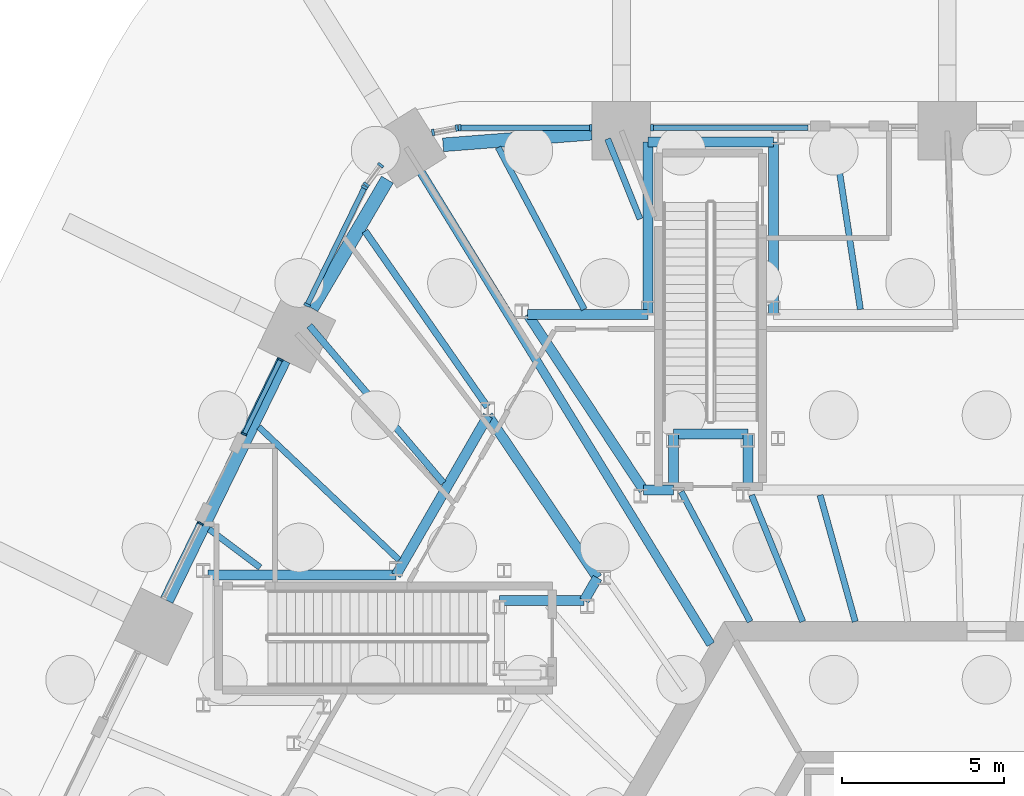
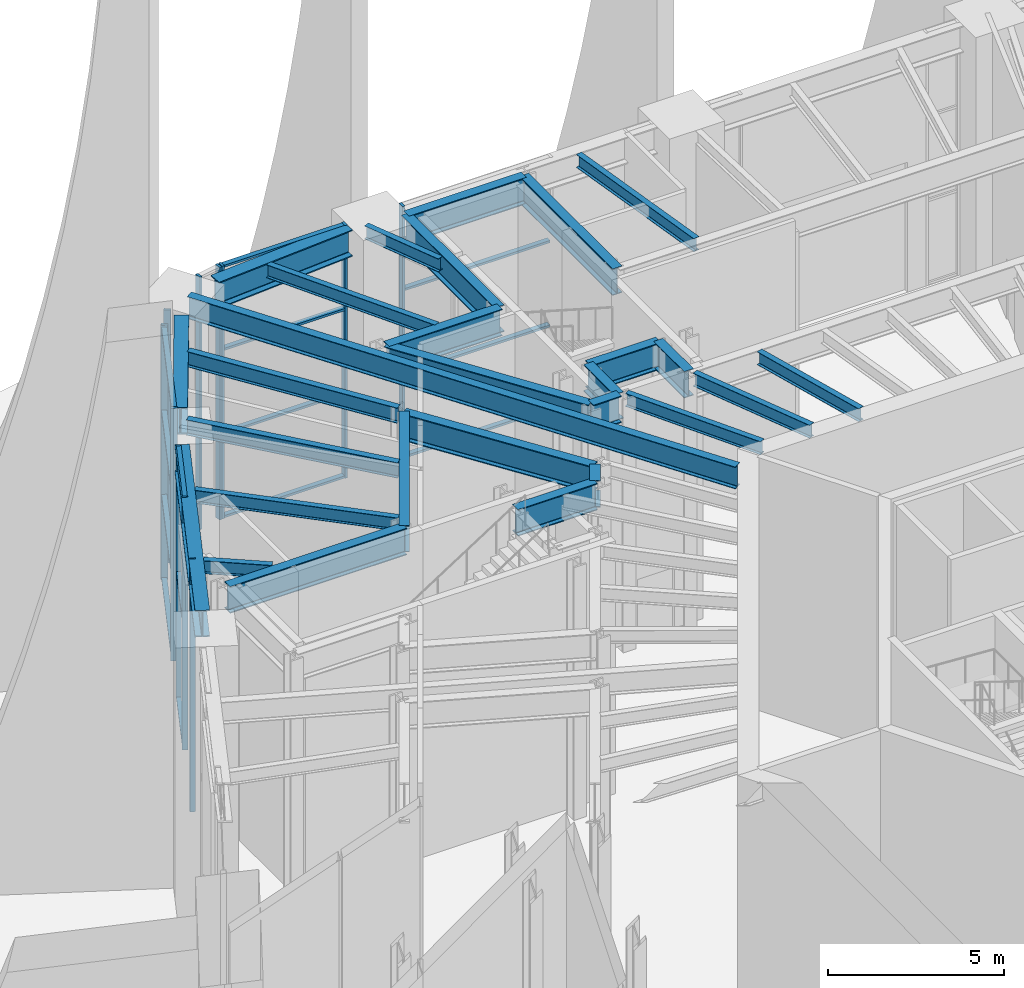
# One storey, part 10 of 43: 28 beams, 26 members, 7 elements without a shape of their own.
"""IFC4 building model written with IfcOpenShell, lengths in metres."""

from ifc_helpers import new_model, si_unit, direction, frame, origin, origin_2d, place, context, subcontext, project, spatial, rectangle, i_section, extrude, material, material_profile, profile_set, type_object, element, aggregate, save


model = new_model("IFC4")

# Units and contexts
model_context = context("Model", 3, precision=1e-05, world=origin(), true_north=direction((0.0, 1.0)))
body_context = subcontext(model_context, "Body", "Model", "MODEL_VIEW")
ifc_project = project(units=[si_unit("LENGTHUNIT", "METRE"), si_unit("AREAUNIT", "SQUARE_METRE"), si_unit("VOLUMEUNIT", "CUBIC_METRE"), si_unit("PLANEANGLEUNIT", "RADIAN"), si_unit("MASSUNIT", "GRAM", prefix="KILO")], contexts=[model_context])

# Site, building, storey
site_placement = place(None, origin())
site = spatial("IfcSite", under=ifc_project, at=site_placement, CompositionType="ELEMENT")
building_placement = place(site_placement, origin())
building = spatial("IfcBuilding", under=site, at=building_placement, Name="Tarnside Tower", CompositionType="ELEMENT")
storey_placement = place(building_placement, origin())
storey = spatial("IfcBuildingStorey", under=building, at=storey_placement, Name="L00", CompositionType="ELEMENT", Elevation=0.0)

# Beams
ifc_material_1 = material(Name="Steel S355", Category="steel")
ifc_material_profile_1 = material_profile(ifc_material_1, i_section(OverallWidth=0.18994140625, OverallDepth=0.453369140625, WebThickness=0.008544921875, FlangeThickness=0.0126953125, FilletRadius=0.01025390625, at=origin_2d()), Name="UB 457x191x67")
ifc_profile_set_1 = profile_set([ifc_material_profile_1], Name="Steel S355")
beam_type_1 = type_object("IfcBeamType", Name="Floor beam UB 457x191x67", PredefinedType="BEAM", material=ifc_profile_set_1)
beam_1_placement = place(storey_placement, frame((-4.684326171875, 28.889892578125, 8.523193359375), z_axis=(0.150020607417, -0.988682869959, 0.0), x_axis=(0.988682869959, 0.150020607417, 0.0)))
element("IfcBeam", 1, at=beam_1_placement, inside=storey, type_object=beam_type_1, Name="Floor beam F1.06a", PredefinedType="BEAM", context=body_context, shape_type="SweptSolid", body=[
    extrude(i_section(OverallWidth=0.18994140625, OverallDepth=0.453369140625, WebThickness=0.008544921875, FlangeThickness=0.0126953125, FilletRadius=0.01025390625, at=origin_2d()), origin(), (0.0, 0.0, 1.0), 5.3427734375),
])
beam_2_placement = place(storey_placement, frame((-5.123046875, 17.892333984375, 8.523193359375), z_axis=(0.267721786164, -0.963496261131, 0.0), x_axis=(0.963496261131, 0.267721786164, 0.0)))
element("IfcBeam", 2, at=beam_2_placement, inside=storey, type_object=beam_type_1, Name="Floor beam F1.07", PredefinedType="BEAM", context=body_context, shape_type="SweptSolid", body=[
    extrude(i_section(OverallWidth=0.18994140625, OverallDepth=0.453369140625, WebThickness=0.008544921875, FlangeThickness=0.0126953125, FilletRadius=0.01025390625, at=origin_2d()), origin(), (0.0, 0.0, 1.0), 4.039794921875),
])
beam_3_placement = place(storey_placement, frame((-11.659912109375, 28.85595703125, 8.523193359375), z_axis=(0.374581275825, -0.927194083136, 0.0), x_axis=(0.927194083136, 0.374581275825, 0.0)))
element("IfcBeam", 3, at=beam_3_placement, inside=storey, type_object=beam_type_1, Name="Floor beam F1.08a", PredefinedType="BEAM", context=body_context, shape_type="SweptSolid", body=[
    extrude(i_section(OverallWidth=0.18994140625, OverallDepth=0.453369140625, WebThickness=0.008544921875, FlangeThickness=0.0126953125, FilletRadius=0.01025390625, at=origin_2d()), origin(), (0.0, 0.0, 1.0), 2.6630859375),
])
beam_4_placement = place(storey_placement, frame((-7.230712890625, 17.892333984375, 8.523193359375), z_axis=(0.374637083902, -0.927171535028, 0.0), x_axis=(0.927171535028, 0.374637083902, 0.0)))
element("IfcBeam", 4, at=beam_4_placement, inside=storey, type_object=beam_type_1, Name="Floor beam F1.08b", PredefinedType="BEAM", context=body_context, shape_type="SweptSolid", body=[
    extrude(i_section(OverallWidth=0.18994140625, OverallDepth=0.453369140625, WebThickness=0.008544921875, FlangeThickness=0.0126953125, FilletRadius=0.01025390625, at=origin_2d()), origin(), (0.0, 0.0, 1.0), 4.197998046875),
])
beam_5_placement = place(storey_placement, frame((-15.027587890625, 28.593505859375, 8.523193359375), z_axis=(0.46914890245, -0.883119078794, 0.0), x_axis=(0.883119078794, 0.46914890245, 0.0)))
element("IfcBeam", 5, at=beam_5_placement, inside=storey, type_object=beam_type_1, Name="Floor beam F1.09a", PredefinedType="BEAM", context=body_context, shape_type="SweptSolid", body=[
    extrude(i_section(OverallWidth=0.18994140625, OverallDepth=0.453369140625, WebThickness=0.008544921875, FlangeThickness=0.0126953125, FilletRadius=0.01025390625, at=origin_2d()), origin(), (0.0, 0.0, 1.0), 5.645751953125),
])
beam_6_placement = place(storey_placement, frame((-9.397705078125, 17.99609375, 8.523193359375), z_axis=(0.469176264666, -0.883104542324, 0.0), x_axis=(0.883104542324, 0.469176264666, 0.0)))
element("IfcBeam", 6, at=beam_6_placement, inside=storey, type_object=beam_type_1, Name="Floor beam F1.09b", PredefinedType="BEAM", context=body_context, shape_type="SweptSolid", body=[
    extrude(i_section(OverallWidth=0.18994140625, OverallDepth=0.453369140625, WebThickness=0.008544921875, FlangeThickness=0.0126953125, FilletRadius=0.01025390625, at=origin_2d()), origin(), (0.0, 0.0, 1.0), 4.525146484375),
])
beam_7_placement = place(storey_placement, frame((-22.39404296875, 19.98779296875, 8.523193359375), z_axis=(0.725649310235, -0.688064734277, 0.0), x_axis=(0.688064734277, 0.725649310235, 0.0)))
element("IfcBeam", 7, at=beam_7_placement, inside=storey, type_object=beam_type_1, Name="Floor beam F2.03a", PredefinedType="BEAM", context=body_context, shape_type="SweptSolid", body=[
    extrude(i_section(OverallWidth=0.18994140625, OverallDepth=0.453369140625, WebThickness=0.008544921875, FlangeThickness=0.0126953125, FilletRadius=0.01025390625, at=origin_2d()), origin(), (0.0, 0.0, 1.0), 5.943603515625),
])
beam_8_placement = place(storey_placement, frame((-23.927001953125, 16.844970703125, 8.523193359375), z_axis=(0.80026824962, -0.599642167171, 0.0), x_axis=(0.599642167171, 0.80026824962, 0.0)))
element("IfcBeam", 8, at=beam_8_placement, inside=storey, type_object=beam_type_1, Name="Floor beam F2.04a", PredefinedType="BEAM", context=body_context, shape_type="SweptSolid", body=[
    extrude(i_section(OverallWidth=0.18994140625, OverallDepth=0.453369140625, WebThickness=0.008544921875, FlangeThickness=0.0126953125, FilletRadius=0.01025390625, at=origin_2d()), origin(), (0.0, 0.0, 1.0), 1.96533203125),
])
ifc_material_profile_2 = material_profile(ifc_material_1, i_section(OverallWidth=0.209228515625, OverallDepth=0.533203125, WebThickness=0.010009765625, FlangeThickness=0.015625, FilletRadius=0.0126953125, at=origin_2d()), Name="UB 533x210x92")
ifc_profile_set_2 = profile_set([ifc_material_profile_2], Name="Steel S355")
beam_type_2 = type_object("IfcBeamType", Name="Floor beam UB 533x210x92", PredefinedType="BEAM", material=ifc_profile_set_2)
beam_9_placement = place(storey_placement, frame((-19.12646484375, 26.0166015625, 8.4833984375), z_axis=(0.571498654839, -0.820603002381, 0.0), x_axis=(0.820603002381, 0.571498654839, 0.0)))
element("IfcBeam", 9, at=beam_9_placement, inside=storey, type_object=beam_type_2, Name="Floor beam F2.01a", PredefinedType="BEAM", context=body_context, shape_type="SweptSolid", body=[
    extrude(i_section(OverallWidth=0.209228515625, OverallDepth=0.533203125, WebThickness=0.010009765625, FlangeThickness=0.015625, FilletRadius=0.0126953125, at=origin_2d()), origin(), (0.0, 0.0, 1.0), 6.589111328125),
])
beam_10_placement = place(storey_placement, frame((-20.838134765625, 23.10595703125, 8.4833984375), z_axis=(0.648334612888, -0.761355521246, 0.0), x_axis=(0.761355521246, 0.648334612888, 0.0)))
element("IfcBeam", 10, at=beam_10_placement, inside=storey, type_object=beam_type_2, Name="Floor beam F2.02a", PredefinedType="BEAM", context=body_context, shape_type="SweptSolid", body=[
    extrude(i_section(OverallWidth=0.209228515625, OverallDepth=0.533203125, WebThickness=0.010009765625, FlangeThickness=0.015625, FilletRadius=0.0126953125, at=origin_2d()), origin(), (0.0, 0.0, 1.0), 6.359375),
])
ifc_material_profile_3 = material_profile(ifc_material_1, i_section(OverallWidth=0.2666015625, OverallDepth=0.76220703125, WebThickness=0.014404296875, FlangeThickness=0.021484375, FilletRadius=0.0166015625, at=origin_2d()), Name="UB 762x267x173")
ifc_profile_set_3 = profile_set([ifc_material_profile_3], Name="Steel S355")
beam_type_3 = type_object("IfcBeamType", Name="Floor beam UB 762x267x173", PredefinedType="BEAM", material=ifc_profile_set_3)
beam_11_placement = place(storey_placement, frame((-17.7392578125, 28.375732421875, 8.368896484375), z_axis=(0.523065896899, -0.852292243014, 0.0), x_axis=(0.852292243014, 0.523065896899, 0.0)))
element("IfcBeam", 11, at=beam_11_placement, inside=storey, type_object=beam_type_3, Name="Floor beam C1", PredefinedType="BEAM", context=body_context, shape_type="SweptSolid", body=[
    extrude(i_section(OverallWidth=0.2666015625, OverallDepth=0.76220703125, WebThickness=0.014404296875, FlangeThickness=0.021484375, FilletRadius=0.0166015625, at=origin_2d()), origin(), (0.0, 0.0, 1.0), 17.6884765625),
])
ifc_material_profile_4 = material_profile(ifc_material_1, i_section(OverallWidth=0.3076171875, OverallDepth=0.926513671875, WebThickness=0.01953125, FlangeThickness=0.031982421875, FilletRadius=0.01904296875, at=origin_2d()), Name="UB 914x305x289")
ifc_profile_set_4 = profile_set([ifc_material_profile_4], Name="Steel S355")
beam_type_4 = type_object("IfcBeamType", Name="Perimeter girder UB 914x305x289", PredefinedType="BEAM", material=ifc_profile_set_4)
beam_12_placement = place(storey_placement, frame((-14.122802734375, 23.453857421875, 8.28662109375), z_axis=(1.0, 0.0, 0.0), x_axis=(0.0, 1.0, 0.0)))
element("IfcBeam", 12, at=beam_12_placement, inside=storey, type_object=beam_type_4, Name="Perimeter girder T36", PredefinedType="BEAM", context=body_context, shape_type="SweptSolid", body=[
    extrude(i_section(OverallWidth=0.3076171875, OverallDepth=0.926513671875, WebThickness=0.01953125, FlangeThickness=0.031982421875, FilletRadius=0.01904296875, at=origin_2d()), origin(), (0.0, 0.0, 1.0), 3.7041015625),
])
beam_13_placement = place(storey_placement, frame((-10.418701171875, 23.453857421875, 8.28662109375), z_axis=(0.0, 1.0, 0.0), x_axis=(-1.0, 0.0, 0.0)))
element("IfcBeam", 13, at=beam_13_placement, inside=storey, type_object=beam_type_4, Name="Perimeter girder T37", PredefinedType="BEAM", context=body_context, shape_type="SweptSolid", body=[
    extrude(i_section(OverallWidth=0.3076171875, OverallDepth=0.926513671875, WebThickness=0.01953125, FlangeThickness=0.031982421875, FilletRadius=0.01904296875, at=origin_2d()), origin(), (0.0, 0.0, 1.0), 5.300048828125),
])
beam_14_placement = place(storey_placement, frame((-10.418701171875, 28.75390625, 8.28662109375), z_axis=(1.0, 0.0, 0.0), x_axis=(0.0, 1.0, 0.0)))
element("IfcBeam", 14, at=beam_14_placement, inside=storey, type_object=beam_type_4, Name="Perimeter girder T38", PredefinedType="BEAM", context=body_context, shape_type="SweptSolid", body=[
    extrude(i_section(OverallWidth=0.3076171875, OverallDepth=0.926513671875, WebThickness=0.01953125, FlangeThickness=0.031982421875, FilletRadius=0.01904296875, at=origin_2d()), origin(), (0.0, 0.0, 1.0), 3.85791015625),
])
beam_15_placement = place(storey_placement, frame((-6.560791015625, 28.75390625, 8.28662109375), z_axis=(0.0, -1.0, 0.0), x_axis=(1.0, 0.0, 0.0)))
element("IfcBeam", 15, at=beam_15_placement, inside=storey, type_object=beam_type_4, Name="Perimeter girder T39", PredefinedType="BEAM", context=body_context, shape_type="SweptSolid", body=[
    extrude(i_section(OverallWidth=0.3076171875, OverallDepth=0.926513671875, WebThickness=0.01953125, FlangeThickness=0.031982421875, FilletRadius=0.01904296875, at=origin_2d()), origin(), (0.0, 0.0, 1.0), 5.300048828125),
])
beam_16_placement = place(storey_placement, frame((-7.343505859375, 18.046142578125, 8.28662109375), z_axis=(0.0, 1.0, 0.0), x_axis=(-1.0, 0.0, 0.0)))
element("IfcBeam", 16, at=beam_16_placement, inside=storey, type_object=beam_type_4, Name="Perimeter girder T43", PredefinedType="BEAM", context=body_context, shape_type="SweptSolid", body=[
    extrude(i_section(OverallWidth=0.3076171875, OverallDepth=0.926513671875, WebThickness=0.01953125, FlangeThickness=0.031982421875, FilletRadius=0.01904296875, at=origin_2d()), origin(), (0.0, 0.0, 1.0), 1.72998046875),
])
beam_17_placement = place(storey_placement, frame((-7.343505859375, 19.776123046875, 8.28662109375), z_axis=(-1.0, 0.0, 0.0), x_axis=(0.0, -1.0, 0.0)))
element("IfcBeam", 17, at=beam_17_placement, inside=storey, type_object=beam_type_4, Name="Perimeter girder T44", PredefinedType="BEAM", context=body_context, shape_type="SweptSolid", body=[
    extrude(i_section(OverallWidth=0.3076171875, OverallDepth=0.926513671875, WebThickness=0.01953125, FlangeThickness=0.031982421875, FilletRadius=0.01904296875, at=origin_2d()), origin(), (0.0, 0.0, 1.0), 2.29248046875),
])
beam_18_placement = place(storey_placement, frame((-9.635986328125, 19.776123046875, 8.28662109375), z_axis=(0.0, -1.0, 0.0), x_axis=(1.0, 0.0, 0.0)))
element("IfcBeam", 18, at=beam_18_placement, inside=storey, type_object=beam_type_4, Name="Perimeter girder T45", PredefinedType="BEAM", context=body_context, shape_type="SweptSolid", body=[
    extrude(i_section(OverallWidth=0.3076171875, OverallDepth=0.926513671875, WebThickness=0.01953125, FlangeThickness=0.031982421875, FilletRadius=0.01904296875, at=origin_2d()), origin(), (0.0, 0.0, 1.0), 1.72998046875),
])
beam_19_placement = place(storey_placement, frame((-9.635986328125, 18.046142578125, 8.28662109375), z_axis=(-1.0, 0.0, 0.0), x_axis=(0.0, -1.0, 0.0)))
element("IfcBeam", 19, at=beam_19_placement, inside=storey, type_object=beam_type_4, Name="Perimeter girder T46", PredefinedType="BEAM", context=body_context, shape_type="SweptSolid", body=[
    extrude(i_section(OverallWidth=0.3076171875, OverallDepth=0.926513671875, WebThickness=0.01953125, FlangeThickness=0.031982421875, FilletRadius=0.01904296875, at=origin_2d()), origin(), (0.0, 0.0, 1.0), 0.91552734375),
])
beam_20_placement = place(storey_placement, frame((-10.551513671875, 18.046142578125, 8.28662109375), z_axis=(-0.551078363203, 0.834453496373, 0.0), x_axis=(-0.834453496373, -0.551078363203, 0.0)))
element("IfcBeam", 20, at=beam_20_placement, inside=storey, type_object=beam_type_4, Name="Perimeter girder T47", PredefinedType="BEAM", context=body_context, shape_type="SweptSolid", body=[
    extrude(i_section(OverallWidth=0.3076171875, OverallDepth=0.926513671875, WebThickness=0.01953125, FlangeThickness=0.031982421875, FilletRadius=0.01904296875, at=origin_2d()), origin(), (0.0, 0.0, 1.0), 6.48046875),
])
beam_21_placement = place(storey_placement, frame((-23.9638671875, 15.4287109375, 8.28662109375), z_axis=(1.0, 0.0, 0.0), x_axis=(0.0, 1.0, 0.0)))
element("IfcBeam", 21, at=beam_21_placement, inside=storey, type_object=beam_type_4, Name="Perimeter girder T66", PredefinedType="BEAM", context=body_context, shape_type="SweptSolid", body=[
    extrude(i_section(OverallWidth=0.3076171875, OverallDepth=0.926513671875, WebThickness=0.01953125, FlangeThickness=0.031982421875, FilletRadius=0.01904296875, at=origin_2d()), origin(), (0.0, 0.0, 1.0), 5.78955078125),
])
beam_22_placement = place(storey_placement, frame((-18.17431640625, 15.4287109375, 8.28662109375), z_axis=(0.500003389066, 0.866023447097, 0.0), x_axis=(-0.866023447097, 0.500003389066, 0.0)))
element("IfcBeam", 22, at=beam_22_placement, inside=storey, type_object=beam_type_4, Name="Perimeter girder T67", PredefinedType="BEAM", context=body_context, shape_type="SweptSolid", body=[
    extrude(i_section(OverallWidth=0.3076171875, OverallDepth=0.926513671875, WebThickness=0.01953125, FlangeThickness=0.031982421875, FilletRadius=0.01904296875, at=origin_2d()), origin(), (0.0, 0.0, 1.0), 5.6669921875),
])
beam_23_placement = place(storey_placement, frame((-15.3408203125, 20.33642578125, 8.28662109375), z_axis=(0.559196152315, -0.829035381173, 0.0), x_axis=(0.829035381173, 0.559196152315, 0.0)))
element("IfcBeam", 23, at=beam_23_placement, inside=storey, type_object=beam_type_4, Name="Perimeter girder T68", PredefinedType="BEAM", context=body_context, shape_type="SweptSolid", body=[
    extrude(i_section(OverallWidth=0.3076171875, OverallDepth=0.926513671875, WebThickness=0.01953125, FlangeThickness=0.031982421875, FilletRadius=0.01904296875, at=origin_2d()), origin(), (0.0, 0.0, 1.0), 6.0166015625),
])
beam_24_placement = place(storey_placement, frame((-11.976318359375, 15.348388671875, 8.28662109375), z_axis=(-0.50012208063, -0.865954909026, 0.0), x_axis=(0.865954909026, -0.50012208063, 0.0)))
element("IfcBeam", 24, at=beam_24_placement, inside=storey, type_object=beam_type_4, Name="Perimeter girder T69", PredefinedType="BEAM", context=body_context, shape_type="SweptSolid", body=[
    extrude(i_section(OverallWidth=0.3076171875, OverallDepth=0.926513671875, WebThickness=0.01953125, FlangeThickness=0.031982421875, FilletRadius=0.01904296875, at=origin_2d()), origin(), (0.0, 0.0, 1.0), 0.810791015625),
])
beam_25_placement = place(storey_placement, frame((-12.3818359375, 14.646240234375, 8.28662109375), z_axis=(-1.0, 0.0, 0.0), x_axis=(0.0, -1.0, 0.0)))
element("IfcBeam", 25, at=beam_25_placement, inside=storey, type_object=beam_type_4, Name="Perimeter girder T70", PredefinedType="BEAM", context=body_context, shape_type="SweptSolid", body=[
    extrude(i_section(OverallWidth=0.3076171875, OverallDepth=0.926513671875, WebThickness=0.01953125, FlangeThickness=0.031982421875, FilletRadius=0.01904296875, at=origin_2d()), origin(), (0.0, 0.0, 1.0), 2.604248046875),
])
ifc_material_2 = material(Name="Steel S460", Category="steel")
ifc_material_profile_5 = material_profile(ifc_material_2, i_section(OverallWidth=0.42041015625, OverallDepth=0.9208984375, WebThickness=0.021484375, FlangeThickness=0.03662109375, FilletRadius=0.024169921875, at=origin_2d()), Name="UB 914x419x388")
ifc_profile_set_5 = profile_set([ifc_material_profile_5], Name="Steel S460")
beam_type_5 = type_object("IfcBeamType", Name="Perimeter girder UB 914x419x388", PredefinedType="BEAM", material=ifc_profile_set_5)
beam_26_placement = place(storey_placement, frame((-12.152099609375, 29.028564453125, 8.28955078125), z_axis=(-0.996975045489, -0.077722317728, 0.0), x_axis=(0.077722317728, -0.996975045489, 0.0)))
element("IfcBeam", 26, at=beam_26_placement, inside=storey, type_object=beam_type_5, Name="Perimeter girder M03", PredefinedType="BEAM", context=body_context, shape_type="SweptSolid", body=[
    extrude(i_section(OverallWidth=0.42041015625, OverallDepth=0.9208984375, WebThickness=0.021484375, FlangeThickness=0.03662109375, FilletRadius=0.024169921875, at=origin_2d()), origin(), (0.0, 0.0, 1.0), 4.586181640625),
])
beam_27_placement = place(storey_placement, frame((-18.438720703125, 27.600830078125, 8.28955078125), z_axis=(-0.506929396531, -0.861987579338, 0.0), x_axis=(0.861987579338, -0.506929396531, 0.0)))
element("IfcBeam", 27, at=beam_27_placement, inside=storey, type_object=beam_type_5, Name="Perimeter girder M04", PredefinedType="BEAM", context=body_context, shape_type="SweptSolid", body=[
    extrude(i_section(OverallWidth=0.42041015625, OverallDepth=0.9208984375, WebThickness=0.021484375, FlangeThickness=0.03662109375, FilletRadius=0.024169921875, at=origin_2d()), origin(), (0.0, 0.0, 1.0), 4.58642578125),
])
beam_28_placement = place(storey_placement, frame((-21.62451171875, 22.04541015625, 8.28955078125), z_axis=(-0.438368649743, -0.898795264186, 0.0), x_axis=(0.898795264186, -0.438368649743, 0.0)))
element("IfcBeam", 28, at=beam_28_placement, inside=storey, type_object=beam_type_5, Name="Perimeter girder M05", PredefinedType="BEAM", context=body_context, shape_type="SweptSolid", body=[
    extrude(i_section(OverallWidth=0.42041015625, OverallDepth=0.9208984375, WebThickness=0.021484375, FlangeThickness=0.03662109375, FilletRadius=0.024169921875, at=origin_2d()), origin(), (0.0, 0.0, 1.0), 8.2236328125),
])

# Curtain wall, members
ifc_material_3 = material(Name="Retail shopfront glazing wall", Category="glass")
curtain_wall_type_1 = type_object("IfcCurtainWallType", Name="Retail shopfront glazing wall", PredefinedType="NOTDEFINED", material=ifc_material_3)
curtain_wall_1_placement = place(storey_placement, origin())
curtain_wall_1 = element("IfcCurtainWall", 29, at=curtain_wall_1_placement, inside=storey, type_object=curtain_wall_type_1, Name="Side light 04a", PredefinedType="NOTDEFINED")
ifc_material_4 = material(Name="Aluminium alloy 6063", Category="aluminium")
ifc_material_profile_6 = material_profile(ifc_material_4, rectangle(XDim=0.159912109375, YDim=0.06005859375, at=origin_2d()), Name="Retail shopfront glazing mullion 60 x 160")
ifc_profile_set_6 = profile_set([ifc_material_profile_6], Name="Aluminium alloy 6063")
member_type_1 = type_object("IfcMemberType", Name="Retail shopfront glazing mullion 60 x 160", PredefinedType="MULLION", material=ifc_profile_set_6)
member_1_placement = place(storey_placement, frame((-21.7275390625, 22.062255859375, 0.0), z_axis=(0.0, 0.0, 1.0), x_axis=(0.898794046253, -0.438371146883, 0.0)))
member_1 = element("IfcMember", 30, at=member_1_placement, type_object=member_type_1, Name="CW2 mullion 1", PredefinedType="MULLION", context=body_context, shape_type="SweptSolid", body=[
    extrude(rectangle(XDim=0.159912109375, YDim=0.06005859375, at=origin_2d()), origin(), (0.0, 0.0, 1.0), 8.75),
])
member_2_placement = place(storey_placement, frame((-22.84619140625, 19.768798828125, 0.0), z_axis=(0.0, 0.0, 1.0), x_axis=(0.898794046253, -0.438371146883, 0.0)))
member_2 = element("IfcMember", 31, at=member_2_placement, type_object=member_type_1, Name="CW2 mullion 2", PredefinedType="MULLION", context=body_context, shape_type="SweptSolid", body=[
    extrude(rectangle(XDim=0.159912109375, YDim=0.06005859375, at=origin_2d()), origin(), (0.0, 0.0, 1.0), 8.75),
])

# Curtain wall, member
curtain_wall_2_placement = place(storey_placement, origin())
curtain_wall_2 = element("IfcCurtainWall", 32, at=curtain_wall_2_placement, inside=storey, type_object=curtain_wall_type_1, Name="Side light 04b", PredefinedType="NOTDEFINED")
member_3_placement = place(storey_placement, frame((-24.1875, 17.018310546875, 0.0), z_axis=(0.0, 0.0, 1.0), x_axis=(0.898794046253, -0.438371146883, 0.0)))
member_3 = element("IfcMember", 33, at=member_3_placement, type_object=member_type_1, Name="CW2 mullion 1", PredefinedType="MULLION", context=body_context, shape_type="SweptSolid", body=[
    extrude(rectangle(XDim=0.159912109375, YDim=0.06005859375, at=origin_2d()), origin(), (0.0, 0.0, 1.0), 8.75),
])
aggregate(curtain_wall_2, [member_3])

# Member
ifc_material_profile_7 = material_profile(ifc_material_4, rectangle(XDim=0.139892578125, YDim=0.06005859375, at=origin_2d()), Name="Retail shopfront glazing transom 60 x 140")
ifc_profile_set_7 = profile_set([ifc_material_profile_7], Name="Aluminium alloy 6063")
member_type_2 = type_object("IfcMemberType", Name="Retail shopfront glazing transom 60 x 140", PredefinedType="USERDEFINED", material=ifc_profile_set_7)
member_4_placement = place(storey_placement, frame((-21.74072265625, 22.035400390625, 0.030029296875), z_axis=(-0.438334836701, -0.898811755005, 0.0), x_axis=(0.898811755005, -0.438334836701, 0.0)))
member_4 = element("IfcMember", 34, at=member_4_placement, type_object=member_type_2, Name="CW2 transom 1.1", ObjectType="TRANSOM", PredefinedType="USERDEFINED", context=body_context, shape_type="SweptSolid", body=[
    extrude(rectangle(XDim=0.139892578125, YDim=0.06005859375, at=origin_2d()), origin(), (0.0, 0.0, 1.0), 2.491943359375),
])

member_5_placement = place(storey_placement, frame((-21.74072265625, 22.035400390625, 4.375), z_axis=(-0.438334836701, -0.898811755005, 0.0), x_axis=(0.898811755005, -0.438334836701, 0.0)))
member_5 = element("IfcMember", 35, at=member_5_placement, type_object=member_type_2, Name="CW2 transom 1.2", ObjectType="TRANSOM", PredefinedType="USERDEFINED", context=body_context, shape_type="SweptSolid", body=[
    extrude(rectangle(XDim=0.139892578125, YDim=0.06005859375, at=origin_2d()), origin(), (0.0, 0.0, 1.0), 2.491943359375),
])

member_6_placement = place(storey_placement, frame((-21.74072265625, 22.035400390625, 8.719970703125), z_axis=(-0.438334836701, -0.898811755005, 0.0), x_axis=(0.898811755005, -0.438334836701, 0.0)))
member_6 = element("IfcMember", 36, at=member_6_placement, type_object=member_type_2, Name="CW2 transom 1.3", ObjectType="TRANSOM", PredefinedType="USERDEFINED", context=body_context, shape_type="SweptSolid", body=[
    extrude(rectangle(XDim=0.139892578125, YDim=0.06005859375, at=origin_2d()), origin(), (0.0, 0.0, 1.0), 2.491943359375),
])

aggregate(curtain_wall_1, [member_1, member_2, member_4, member_5, member_6])

# Curtain wall, member
ifc_material_5 = material(Name="Station concourse glazing wall", Category="glass")
curtain_wall_type_2 = type_object("IfcCurtainWallType", Name="Station concourse glazing wall", PredefinedType="NOTDEFINED", material=ifc_material_5)
curtain_wall_3_placement = place(storey_placement, origin())
curtain_wall_3 = element("IfcCurtainWall", 37, at=curtain_wall_3_placement, inside=storey, type_object=curtain_wall_type_2, Name="Side light 010x1", PredefinedType="NOTDEFINED")
ifc_material_profile_8 = material_profile(ifc_material_4, rectangle(XDim=0.199951171875, YDim=0.080078125, at=origin_2d()), Name="Station concourse glazing mullion 80 x 200")
ifc_profile_set_8 = profile_set([ifc_material_profile_8], Name="Aluminium alloy 6063")
member_type_3 = type_object("IfcMemberType", Name="Station concourse glazing mullion 80 x 200", PredefinedType="MULLION", material=ifc_profile_set_8)
member_7_placement = place(storey_placement, frame((-10.294677734375, 29.199951171875, 0.0), z_axis=(0.0, 0.0, 1.0), x_axis=(0.0, -1.0, 0.0)))
member_7 = element("IfcMember", 38, at=member_7_placement, type_object=member_type_3, Name="CW1 mullion 2", PredefinedType="MULLION", context=body_context, shape_type="SweptSolid", body=[
    extrude(rectangle(XDim=0.199951171875, YDim=0.080078125, at=origin_2d()), origin(), (0.0, 0.0, 1.0), 8.75),
])

# Curtain wall, members
curtain_wall_4_placement = place(storey_placement, origin())
curtain_wall_4 = element("IfcCurtainWall", 39, at=curtain_wall_4_placement, inside=storey, type_object=curtain_wall_type_2, Name="Station concourse glazing L00 02.0", PredefinedType="NOTDEFINED")
member_8_placement = place(storey_placement, frame((-12.1748046875, 29.199951171875, 0.0), z_axis=(0.0, 0.0, 1.0), x_axis=(0.0, -1.0, 0.0)))
member_8 = element("IfcMember", 40, at=member_8_placement, type_object=member_type_3, Name="CW1 mullion 1", PredefinedType="MULLION", context=body_context, shape_type="SweptSolid", body=[
    extrude(rectangle(XDim=0.199951171875, YDim=0.080078125, at=origin_2d()), origin(), (0.0, 0.0, 1.0), 8.75),
])
member_9_placement = place(storey_placement, frame((-16.20654296875, 29.199951171875, 0.0), z_axis=(0.0, 0.0, 1.0), x_axis=(0.0, -1.0, 0.0)))
member_9 = element("IfcMember", 41, at=member_9_placement, type_object=member_type_3, Name="CW1 mullion 2", PredefinedType="MULLION", context=body_context, shape_type="SweptSolid", body=[
    extrude(rectangle(XDim=0.199951171875, YDim=0.080078125, at=origin_2d()), origin(), (0.0, 0.0, 1.0), 8.75),
])

curtain_wall_5_placement = place(storey_placement, origin())
curtain_wall_5 = element("IfcCurtainWall", 42, at=curtain_wall_5_placement, inside=storey, type_object=curtain_wall_type_2, Name="Station concourse glazing L00 02.1", PredefinedType="NOTDEFINED")
member_10_placement = place(storey_placement, frame((-16.304443359375, 29.19091796875, 0.0), z_axis=(0.0, 0.0, 1.0), x_axis=(0.185094923925, -0.982720646541, 0.0)))
member_10 = element("IfcMember", 43, at=member_10_placement, type_object=member_type_3, Name="CW1 mullion 1", PredefinedType="MULLION", context=body_context, shape_type="SweptSolid", body=[
    extrude(rectangle(XDim=0.199951171875, YDim=0.080078125, at=origin_2d()), origin(), (0.0, 0.0, 1.0), 8.75),
])
member_11_placement = place(storey_placement, frame((-17.032958984375, 29.0537109375, 0.0), z_axis=(0.0, 0.0, 1.0), x_axis=(0.185094923925, -0.982720646541, 0.0)))
member_11 = element("IfcMember", 44, at=member_11_placement, type_object=member_type_3, Name="CW1 mullion 2", PredefinedType="MULLION", context=body_context, shape_type="SweptSolid", body=[
    extrude(rectangle(XDim=0.199951171875, YDim=0.080078125, at=origin_2d()), origin(), (0.0, 0.0, 1.0), 8.75),
])
aggregate(curtain_wall_5, [member_10, member_11])

curtain_wall_6_placement = place(storey_placement, origin())
curtain_wall_6 = element("IfcCurtainWall", 45, at=curtain_wall_6_placement, inside=storey, type_object=curtain_wall_type_2, Name="Station concourse glazing L00 03.0", PredefinedType="NOTDEFINED")
member_12_placement = place(storey_placement, frame((-18.646484375, 28.04541015625, 0.0), z_axis=(0.0, 0.0, 1.0), x_axis=(0.802123193429, -0.597158590797, 0.0)))
member_12 = element("IfcMember", 46, at=member_12_placement, type_object=member_type_3, Name="CW1 mullion 1", PredefinedType="MULLION", context=body_context, shape_type="SweptSolid", body=[
    extrude(rectangle(XDim=0.199951171875, YDim=0.080078125, at=origin_2d()), origin(), (0.0, 0.0, 1.0), 8.75),
])
member_13_placement = place(storey_placement, frame((-19.089111328125, 27.45068359375, 0.0), z_axis=(0.0, 0.0, 1.0), x_axis=(0.802123193429, -0.597158590797, 0.0)))
member_13 = element("IfcMember", 47, at=member_13_placement, type_object=member_type_3, Name="CW1 mullion 2", PredefinedType="MULLION", context=body_context, shape_type="SweptSolid", body=[
    extrude(rectangle(XDim=0.199951171875, YDim=0.080078125, at=origin_2d()), origin(), (0.0, 0.0, 1.0), 8.75),
])
aggregate(curtain_wall_6, [member_12, member_13])

curtain_wall_7_placement = place(storey_placement, origin())
curtain_wall_7 = element("IfcCurtainWall", 48, at=curtain_wall_7_placement, inside=storey, type_object=curtain_wall_type_2, Name="Station concourse glazing L00 03.1", PredefinedType="NOTDEFINED")
member_14_placement = place(storey_placement, frame((-19.140380859375, 27.366943359375, 0.0), z_axis=(0.0, 0.0, 1.0), x_axis=(0.898794046314, -0.438371146758, 0.0)))
member_14 = element("IfcMember", 49, at=member_14_placement, type_object=member_type_3, Name="CW1 mullion 1", PredefinedType="MULLION", context=body_context, shape_type="SweptSolid", body=[
    extrude(rectangle(XDim=0.199951171875, YDim=0.080078125, at=origin_2d()), origin(), (0.0, 0.0, 1.0), 8.75),
])
member_15_placement = place(storey_placement, frame((-20.90771484375, 23.742919921875, 0.0), z_axis=(0.0, 0.0, 1.0), x_axis=(0.898794046314, -0.438371146758, 0.0)))
member_15 = element("IfcMember", 50, at=member_15_placement, type_object=member_type_3, Name="CW1 mullion 2", PredefinedType="MULLION", context=body_context, shape_type="SweptSolid", body=[
    extrude(rectangle(XDim=0.199951171875, YDim=0.080078125, at=origin_2d()), origin(), (0.0, 0.0, 1.0), 8.75),
])

# Member
ifc_material_profile_9 = material_profile(ifc_material_4, rectangle(XDim=0.159912109375, YDim=0.080078125, at=origin_2d()), Name="Station concourse glazing transom 80 x 160")
ifc_profile_set_9 = profile_set([ifc_material_profile_9], Name="Aluminium alloy 6063")
member_type_4 = type_object("IfcMemberType", Name="Station concourse glazing transom 80 x 160", PredefinedType="USERDEFINED", material=ifc_profile_set_9)
member_16_placement = place(storey_placement, frame((-5.490966796875, 29.199951171875, 0.0400390625), z_axis=(-1.0, 0.0, 0.0), x_axis=(0.0, -1.0, 0.0)))
member_16 = element("IfcMember", 51, at=member_16_placement, type_object=member_type_4, Name="CW1 transom 1.1", ObjectType="TRANSOM", PredefinedType="USERDEFINED", context=body_context, shape_type="SweptSolid", body=[
    extrude(rectangle(XDim=0.159912109375, YDim=0.080078125, at=origin_2d()), origin(), (0.0, 0.0, 1.0), 4.763916015625),
])

member_17_placement = place(storey_placement, frame((-5.490966796875, 29.199951171875, 2.916748046875), z_axis=(-1.0, 0.0, 0.0), x_axis=(0.0, -1.0, 0.0)))
member_17 = element("IfcMember", 52, at=member_17_placement, type_object=member_type_4, Name="CW1 transom 1.2", ObjectType="TRANSOM", PredefinedType="USERDEFINED", context=body_context, shape_type="SweptSolid", body=[
    extrude(rectangle(XDim=0.159912109375, YDim=0.080078125, at=origin_2d()), origin(), (0.0, 0.0, 1.0), 4.763916015625),
])

member_18_placement = place(storey_placement, frame((-5.490966796875, 29.199951171875, 5.833251953125), z_axis=(-1.0, 0.0, 0.0), x_axis=(0.0, -1.0, 0.0)))
member_18 = element("IfcMember", 53, at=member_18_placement, type_object=member_type_4, Name="CW1 transom 1.3", ObjectType="TRANSOM", PredefinedType="USERDEFINED", context=body_context, shape_type="SweptSolid", body=[
    extrude(rectangle(XDim=0.159912109375, YDim=0.080078125, at=origin_2d()), origin(), (0.0, 0.0, 1.0), 4.763916015625),
])

aggregate(curtain_wall_3, [member_7, member_16, member_17, member_18])

member_19_placement = place(storey_placement, frame((-12.21484375, 29.199951171875, 0.0400390625), z_axis=(-1.0, 0.0, 0.0), x_axis=(0.0, -1.0, 0.0)))
member_19 = element("IfcMember", 54, at=member_19_placement, type_object=member_type_4, Name="CW1 transom 1.1", ObjectType="TRANSOM", PredefinedType="USERDEFINED", context=body_context, shape_type="SweptSolid", body=[
    extrude(rectangle(XDim=0.159912109375, YDim=0.080078125, at=origin_2d()), origin(), (0.0, 0.0, 1.0), 3.95166015625),
])

member_20_placement = place(storey_placement, frame((-12.21484375, 29.199951171875, 2.916748046875), z_axis=(-1.0, 0.0, 0.0), x_axis=(0.0, -1.0, 0.0)))
member_20 = element("IfcMember", 55, at=member_20_placement, type_object=member_type_4, Name="CW1 transom 1.2", ObjectType="TRANSOM", PredefinedType="USERDEFINED", context=body_context, shape_type="SweptSolid", body=[
    extrude(rectangle(XDim=0.159912109375, YDim=0.080078125, at=origin_2d()), origin(), (0.0, 0.0, 1.0), 3.95166015625),
])

member_21_placement = place(storey_placement, frame((-12.21484375, 29.199951171875, 5.833251953125), z_axis=(-1.0, 0.0, 0.0), x_axis=(0.0, -1.0, 0.0)))
member_21 = element("IfcMember", 56, at=member_21_placement, type_object=member_type_4, Name="CW1 transom 1.3", ObjectType="TRANSOM", PredefinedType="USERDEFINED", context=body_context, shape_type="SweptSolid", body=[
    extrude(rectangle(XDim=0.159912109375, YDim=0.080078125, at=origin_2d()), origin(), (0.0, 0.0, 1.0), 3.95166015625),
])

member_22_placement = place(storey_placement, frame((-12.21484375, 29.199951171875, 8.7099609375), z_axis=(-1.0, 0.0, 0.0), x_axis=(0.0, -1.0, 0.0)))
member_22 = element("IfcMember", 57, at=member_22_placement, type_object=member_type_4, Name="CW1 transom 1.4", ObjectType="TRANSOM", PredefinedType="USERDEFINED", context=body_context, shape_type="SweptSolid", body=[
    extrude(rectangle(XDim=0.159912109375, YDim=0.080078125, at=origin_2d()), origin(), (0.0, 0.0, 1.0), 3.95166015625),
])

aggregate(curtain_wall_4, [member_8, member_9, member_19, member_20, member_21, member_22])

member_23_placement = place(storey_placement, frame((-19.15771484375, 27.330810546875, 0.0400390625), z_axis=(-0.438394418906, -0.898782695356, 0.0), x_axis=(0.898782695356, -0.438394418906, 0.0)))
member_23 = element("IfcMember", 58, at=member_23_placement, type_object=member_type_4, Name="CW1 transom 1.1", ObjectType="TRANSOM", PredefinedType="USERDEFINED", context=body_context, shape_type="SweptSolid", body=[
    extrude(rectangle(XDim=0.159912109375, YDim=0.080078125, at=origin_2d()), origin(), (0.0, 0.0, 1.0), 3.95166015625),
])

member_24_placement = place(storey_placement, frame((-19.15771484375, 27.330810546875, 2.916748046875), z_axis=(-0.438394418906, -0.898782695356, 0.0), x_axis=(0.898782695356, -0.438394418906, 0.0)))
member_24 = element("IfcMember", 59, at=member_24_placement, type_object=member_type_4, Name="CW1 transom 1.2", ObjectType="TRANSOM", PredefinedType="USERDEFINED", context=body_context, shape_type="SweptSolid", body=[
    extrude(rectangle(XDim=0.159912109375, YDim=0.080078125, at=origin_2d()), origin(), (0.0, 0.0, 1.0), 3.95166015625),
])

member_25_placement = place(storey_placement, frame((-19.15771484375, 27.330810546875, 5.833251953125), z_axis=(-0.438394418906, -0.898782695356, 0.0), x_axis=(0.898782695356, -0.438394418906, 0.0)))
member_25 = element("IfcMember", 60, at=member_25_placement, type_object=member_type_4, Name="CW1 transom 1.3", ObjectType="TRANSOM", PredefinedType="USERDEFINED", context=body_context, shape_type="SweptSolid", body=[
    extrude(rectangle(XDim=0.159912109375, YDim=0.080078125, at=origin_2d()), origin(), (0.0, 0.0, 1.0), 3.95166015625),
])

member_26_placement = place(storey_placement, frame((-19.15771484375, 27.330810546875, 8.7099609375), z_axis=(-0.438394418906, -0.898782695356, 0.0), x_axis=(0.898782695356, -0.438394418906, 0.0)))
member_26 = element("IfcMember", 61, at=member_26_placement, type_object=member_type_4, Name="CW1 transom 1.4", ObjectType="TRANSOM", PredefinedType="USERDEFINED", context=body_context, shape_type="SweptSolid", body=[
    extrude(rectangle(XDim=0.159912109375, YDim=0.080078125, at=origin_2d()), origin(), (0.0, 0.0, 1.0), 3.95166015625),
])

aggregate(curtain_wall_7, [member_14, member_15, member_23, member_24, member_25, member_26])

save(model, "model.ifc")
